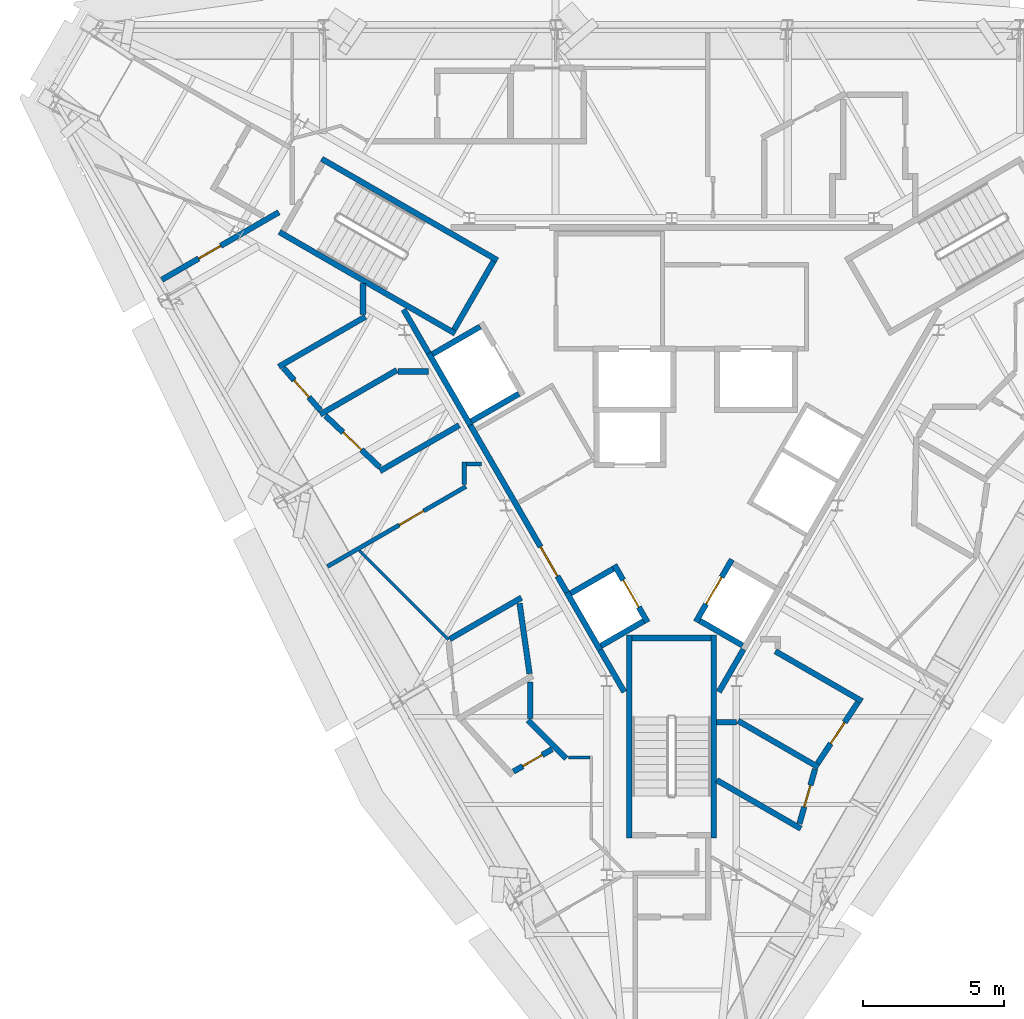
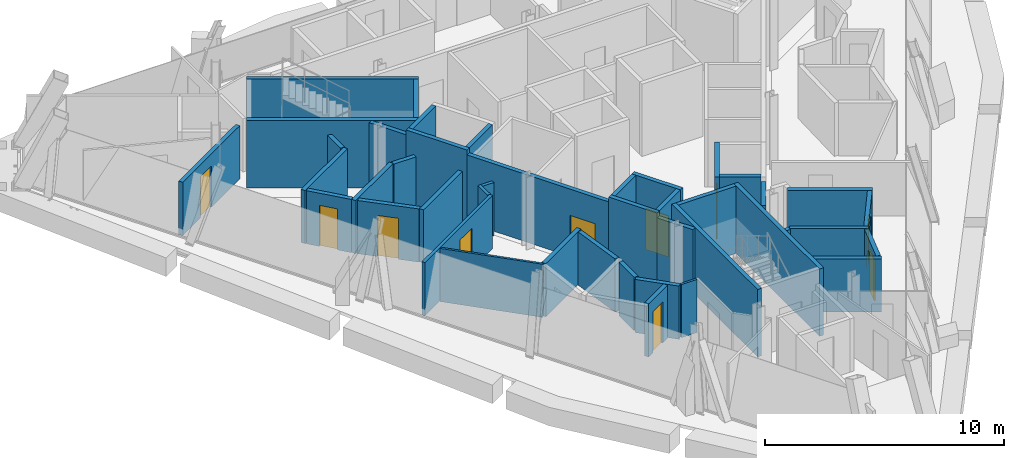
# One storey, part 7 of 13: 43 walls, 10 doors, 10 openings.
"""IFC4 building model written with IfcOpenShell, lengths in metres."""

import ifcopenshell
import ifcopenshell.guid

model = None  # the IFC model being written
_history = None  # IfcOwnerHistory: only IFC2X3 demands one
_inside = {}  # id of a spatial element -> (the spatial element, [elements in it])
_under = {}  # id of a project, library or spatial element -> (it, [spatial elements below it])
_declared = {}  # id of a project -> (the project, [libraries it declares])
_typed = {}  # id of a type object -> (the type object, [elements of that type])
_made_of = {}  # id of a material, layer set ... -> (it, [elements and type objects made of it])


def new_model(schema):
    """Start an empty IFC model of exactly this schema.

    Asked for "IFC4X3", IfcOpenShell would pick the latest addendum, in which some entities
    have other attributes; the version numbers below select the first issue.
    IFC2X3 requires an IfcOwnerHistory on every rooted entity: one is made here for all.
    """
    global model, _history
    if schema == "IFC4X3":
        model = ifcopenshell.file(schema_version=(4, 3, 0, 0))
    else:
        model = ifcopenshell.file(schema=schema)
    _inside.clear()
    _under.clear()
    _declared.clear()
    _typed.clear()
    _made_of.clear()
    _history = None
    if model.schema == "IFC2X3":
        org = make("IfcOrganization", Name="unknown")
        user = make(
            "IfcPersonAndOrganization",
            ThePerson=make("IfcPerson", FamilyName="unknown"),
            TheOrganization=org,
        )
        app = make(
            "IfcApplication",
            ApplicationDeveloper=org,
            Version="unknown",
            ApplicationFullName="unknown",
            ApplicationIdentifier="unknown",
        )
        _history = make(
            "IfcOwnerHistory",
            OwningUser=user,
            OwningApplication=app,
            ChangeAction="ADDED",
            CreationDate=0,
        )
    return model


def make(cls, **values):
    """One entity of the class cls with the attributes given. An attribute that is None is left unset."""
    return model.create_entity(
        cls, **{name: value for name, value in values.items() if value is not None}
    )


def rooted(cls, **values):
    """An entity with a GlobalId (a new one), such as an element, a storey or a relation."""
    return make(cls, GlobalId=ifcopenshell.guid.new(), OwnerHistory=_history, **values)


def si_unit(unit_type, name, prefix=None):
    """IfcSIUnit, for example si_unit("LENGTHUNIT", "METRE", prefix="MILLI")."""
    return make("IfcSIUnit", UnitType=unit_type, Prefix=prefix, Name=name)


def assignment(units):
    """IfcUnitAssignment: the units of a project."""
    return None if units is None else make("IfcUnitAssignment", Units=units)


def point(xyz):
    """IfcCartesianPoint."""
    return None if xyz is None else make("IfcCartesianPoint", Coordinates=xyz)


def direction(xyz):
    """IfcDirection."""
    return None if xyz is None else make("IfcDirection", DirectionRatios=xyz)


def frame(location, z_axis=None, x_axis=None):
    """IfcAxis2Placement3D, a coordinate frame: its origin and axes. An axis left out is left unset."""
    return make(
        "IfcAxis2Placement3D",
        Location=point(location),
        Axis=direction(z_axis),
        RefDirection=direction(x_axis),
    )


def frame_2d(location, x_axis=None):
    """IfcAxis2Placement2D, a coordinate frame in the plane: its origin and x axis."""
    return make(
        "IfcAxis2Placement2D", Location=point(location), RefDirection=direction(x_axis)
    )


def origin():
    """The frame at (0, 0, 0) with its axes left unset."""
    return frame((0.0, 0.0, 0.0))


def place(relative_to, where):
    """IfcLocalPlacement: puts the frame where relative to a parent placement (None: the world)."""
    return make(
        "IfcLocalPlacement", PlacementRelTo=relative_to, RelativePlacement=where
    )


def context(
    kind, dimensions, precision=None, world=None, true_north=None, identifier=None
):
    """IfcGeometricRepresentationContext, for example the 3D "Model" context."""
    return make(
        "IfcGeometricRepresentationContext",
        ContextIdentifier=identifier,
        ContextType=kind,
        CoordinateSpaceDimension=dimensions,
        Precision=precision,
        WorldCoordinateSystem=world,
        TrueNorth=true_north,
    )


def subcontext(parent, identifier, kind, view, scale=None):
    """IfcGeometricRepresentationSubContext, for example "Body" below "Model"."""
    return make(
        "IfcGeometricRepresentationSubContext",
        ContextIdentifier=identifier,
        ContextType=kind,
        ParentContext=parent,
        TargetScale=scale,
        TargetView=view,
    )


def project(units=None, contexts=None):
    """IfcProject with its units and contexts."""
    return rooted(
        "IfcProject",
        Name="project",
        RepresentationContexts=contexts,
        UnitsInContext=assignment(units),
    )


def spatial(cls, under=None, at=None, **own):
    """A site, building, storey or space (cls), placed at a placement, below another one or the project."""
    s = rooted(cls, ObjectPlacement=at, **own)
    if under is not None:
        _under.setdefault(under.id(), (under, []))[1].append(s)
    return s


def profile(cls, at=None, kind="AREA", **sizes):
    """A parametric profile (cls). Its sizes go by their IFC names, for example OverallWidth=200.0."""
    return make(cls, ProfileType=kind, Position=at, **sizes)


def rectangle(**sizes):
    """IfcRectangleProfileDef."""
    return profile("IfcRectangleProfileDef", **sizes)


def extrude(swept, where, along, depth):
    """IfcExtrudedAreaSolid: the profile swept, set in the frame where, extruded along a direction by depth."""
    return make(
        "IfcExtrudedAreaSolid",
        SweptArea=swept,
        Position=where,
        ExtrudedDirection=direction(along),
        Depth=depth,
    )


def shape(context_of_items, identifier, shape_type, items):
    """IfcShapeRepresentation: the items that make up one representation, for example the "Body"."""
    return make(
        "IfcShapeRepresentation",
        ContextOfItems=context_of_items,
        RepresentationIdentifier=identifier,
        RepresentationType=shape_type,
        Items=items,
    )


def material(Name=None, Category=None):
    """IfcMaterial."""
    return make("IfcMaterial", Name=Name, Category=Category)


def layer(
    of_material, thickness, ventilated=None, Name=None, Category=None, Priority=None
):
    """IfcMaterialLayer: one layer of a wall or slab, of a material (None: an air gap)."""
    return make(
        "IfcMaterialLayer",
        Material=of_material,
        LayerThickness=thickness,
        IsVentilated=ventilated,
        Name=Name,
        Category=Category,
        Priority=Priority,
    )


def layer_set(layers, Name=None):
    """IfcMaterialLayerSet."""
    return make("IfcMaterialLayerSet", MaterialLayers=layers, LayerSetName=Name)


def made_of(thing, what):
    """Note that an element or type object is made of a material, layer set ...; save() writes the relation."""
    if what is not None:
        _made_of.setdefault(what.id(), (what, []))[1].append(thing)
    return thing


def type_object(cls, material=None, **own):
    """A type object (cls), such as IfcWallType, which elements share."""
    return made_of(rooted(cls, **own), material)


def element(
    cls,
    number,
    at=None,
    inside=None,
    cuts=None,
    type_object=None,
    material=None,
    context=None,
    identifier="Body",
    shape_type=None,
    held_by="IfcProductDefinitionShape",
    body=None,
    shapes=None,
    **own,
):
    """One element of the class cls, such as IfcWall. Its Tag is "e" and its number.

    at: its placement. inside: the storey or other place that contains it. cuts: it is an
    opening in that element (IfcRelVoidsElement). A single representation is given by context,
    identifier, shape_type and body (its items); several are given by shapes. held_by: the class
    of the entity that holds the representations. save() writes the other relations.
    """
    e = rooted(cls, Tag="e%d" % number, ObjectPlacement=at, **own)
    if body is not None:
        shapes = [shape(context, identifier, shape_type, body)]
    if shapes is not None:
        e.Representation = make(held_by, Representations=shapes)
    if inside is not None:
        _inside.setdefault(inside.id(), (inside, []))[1].append(e)
    if cuts is not None:
        rooted(
            "IfcRelVoidsElement", RelatingBuildingElement=cuts, RelatedOpeningElement=e
        )
    if type_object is not None:
        _typed.setdefault(type_object.id(), (type_object, []))[1].append(e)
    return made_of(e, material)


def fill(opening, filler):
    """IfcRelFillsElement: the door or window that sits in an opening."""
    return rooted(
        "IfcRelFillsElement",
        RelatingOpeningElement=opening,
        RelatedBuildingElement=filler,
    )


def aggregate(whole, parts):
    """IfcRelAggregates: a whole, such as a stair, and the parts it consists of."""
    return rooted("IfcRelAggregates", RelatingObject=whole, RelatedObjects=parts)


def save(model, path):
    """Write the relations noted so far, then the file.

    IfcRelAggregates (storeys below a building ...), IfcRelContainedInSpatialStructure (elements
    in a storey), IfcRelDefinesByType, IfcRelAssociatesMaterial and IfcRelDeclares: one each for
    every whole, place, type object, material and project.
    """
    for whole, parts in _under.values():
        aggregate(whole, parts)
    for where, things in _inside.values():
        rooted(
            "IfcRelContainedInSpatialStructure",
            RelatedElements=things,
            RelatingStructure=where,
        )
    for kind, things in _typed.values():
        rooted("IfcRelDefinesByType", RelatedObjects=things, RelatingType=kind)
    for what, things in _made_of.values():
        rooted("IfcRelAssociatesMaterial", RelatedObjects=things, RelatingMaterial=what)
    for by, libraries in _declared.values():
        rooted("IfcRelDeclares", RelatingContext=by, RelatedDefinitions=libraries)
    model.write(path)


model = new_model("IFC4")

# Units and contexts
model_context = context("Model", 3, precision=1e-05, world=origin(), true_north=direction((0.0, 1.0)))
body_context = subcontext(model_context, "Body", "Model", "MODEL_VIEW")
ifc_project = project(units=[si_unit("LENGTHUNIT", "METRE"), si_unit("AREAUNIT", "SQUARE_METRE"), si_unit("VOLUMEUNIT", "CUBIC_METRE"), si_unit("PLANEANGLEUNIT", "RADIAN"), si_unit("MASSUNIT", "GRAM", prefix="KILO")], contexts=[model_context])

# Site, building, storey
site_placement = place(None, origin())
site = spatial("IfcSite", under=ifc_project, at=site_placement, CompositionType="ELEMENT")
building_placement = place(site_placement, origin())
building = spatial("IfcBuilding", under=site, at=building_placement, Name="Verrane Prism Tower", CompositionType="ELEMENT")
storey_placement = place(building_placement, frame((0.0, 0.0, 304.699951171875)))
storey = spatial("IfcBuildingStorey", under=building, at=storey_placement, Name="L77", CompositionType="ELEMENT", Elevation=304.699951171875)

# Wall
ifc_material_1 = material(Name="Gypsum board partition", Category="other")
ifc_layer_1 = layer(ifc_material_1, 0.199951171875)
ifc_layer_set_1 = layer_set([ifc_layer_1], Name="CW-200 core boundary wall 2 h")
wall_type_1 = type_object("IfcWallType", Name="CW-200 core boundary wall 2 h", PredefinedType="PARTITIONING", material=ifc_layer_set_1)
wall_1_placement = place(storey_placement, frame((-9.509033203125, 3.550537109375, 0.0), z_axis=(0.0, 0.0, 1.0), x_axis=(0.499999136801, -0.866025902152, 0.0)))
element("IfcWall", 1, at=wall_1_placement, inside=storey, type_object=wall_type_1, Name="Core boundary wall CW3-001", PredefinedType="PARTITIONING", context=body_context, shape_type="SweptSolid", body=[
    extrude(rectangle(XDim=1.7822265625, YDim=0.199951171875, at=frame_2d((0.89111328125, 0.0))), origin(), (0.0, 0.0, 1.0), 3.449951171875),
])

# Wall, opening, door
wall_2_placement = place(storey_placement, frame((-7.14111328125, -0.551025390625, 0.0), z_axis=(0.0, 0.0, 1.0), x_axis=(0.500001302854, -0.86602465158, 0.0)))
wall_2 = element("IfcWall", 2, at=wall_2_placement, inside=storey, type_object=wall_type_1, Name="Core boundary wall CW3-003", PredefinedType="PARTITIONING", context=body_context, shape_type="SweptSolid", body=[
    extrude(rectangle(XDim=6.84619140625, YDim=0.199951171875, at=frame_2d((3.423095703125, 0.0))), origin(), (0.0, 0.0, 1.0), 3.449951171875),
])
opening_1_placement = place(wall_2_placement, frame((4.98291015625, 0.0, 0.0)))
opening_1 = element("IfcOpeningElement", 3, at=opening_1_placement, cuts=wall_2, Name="Opening D75510", PredefinedType="OPENING", context=body_context, shape_type="SweptSolid", body=[
    extrude(rectangle(XDim=1.199951171875, YDim=2.10009765625, at=frame_2d((0.60009765625, 1.050048828125))), frame((0.0, 0.10986328125, 0.0), z_axis=(0.0, -1.0, 0.0), x_axis=(1.0, 0.0, 0.0)), (0.0, 0.0, 1.0), 0.219970703125),
])
ifc_material_2 = material(Name="Timber veneered door leaf", Category="wood")
door_type_1 = type_object("IfcDoorType", Name="DR-1200x2100 FD60 single leaf lift lobby", OperationType="NOTDEFINED", PredefinedType="DOOR", material=ifc_material_2)
door_1_placement = place(opening_1_placement, origin())
door_1 = element("IfcDoor", 4, at=door_1_placement, inside=storey, type_object=door_type_1, Name="Lift lobby door D75510", OperationType="SINGLE_SWING_RIGHT", OverallHeight=2.10009765625, OverallWidth=1.199951171875, PredefinedType="DOOR", context=body_context, shape_type="SweptSolid", body=[
    extrude(rectangle(XDim=1.199951171875, YDim=2.10009765625, at=frame_2d((0.60009765625, 1.050048828125))), frame((0.0, 0.02490234375, 0.0), z_axis=(0.0, -1.0, 0.0), x_axis=(1.0, 0.0, 0.0)), (0.0, 0.0, 1.0), 0.050048828125),
])
fill(opening_1, door_1)

# Walls
wall_3_placement = place(storey_placement, frame((-2.541015625, -8.51904296875, 0.0), z_axis=(0.0, 0.0, 1.0), x_axis=(0.500016142392, -0.86601608377, 0.0)))
element("IfcWall", 5, at=wall_3_placement, inside=storey, type_object=wall_type_1, Name="Core boundary wall CW3-004", PredefinedType="PARTITIONING", context=body_context, shape_type="SweptSolid", body=[
    extrude(rectangle(XDim=1.72705078125, YDim=0.199951171875, at=frame_2d((0.863525390625, 0.0))), origin(), (0.0, 0.0, 1.0), 3.449951171875),
])
wall_4_placement = place(storey_placement, frame((1.677490234375, -10.0146484375, 0.0), z_axis=(0.0, 0.0, 1.0), x_axis=(0.49983532306, 0.866120459187, 0.0)))
element("IfcWall", 6, at=wall_4_placement, inside=storey, type_object=wall_type_1, Name="Core boundary wall CW3-005", PredefinedType="PARTITIONING", context=body_context, shape_type="SweptSolid", body=[
    extrude(rectangle(XDim=1.74755859375, YDim=0.199951171875, at=frame_2d((0.873779296875, 0.0))), origin(), (0.0, 0.0, 1.0), 3.449951171875),
])
ifc_material_3 = material(Name="Concrete C40/50", Category="concrete")
ifc_layer_2 = layer(ifc_material_3, 0.199951171875)
ifc_layer_set_2 = layer_set([ifc_layer_2], Name="CW-200 stair core wall concrete C40/50 3 h")
wall_type_2 = type_object("IfcWallType", Name="CW-200 stair core wall concrete C40/50 3 h", PredefinedType="PARTITIONING", material=ifc_layer_set_2)
for number, where, z_axis, x_axis, name in (
    (7, (-7.67822265625, 2.700927734375, 0.0), (0.0, 0.0, 1.0), (-0.866018442252, 0.500012057535, 0.0), "Stair 2 enclosure wall"),
    (8, (-6.17822265625, 5.299072265625, 0.0), (0.0, 0.0, 1.0), (-0.866033125095, 0.499986626058, 0.0), "Stair 2 enclosure wall"),
):
    element("IfcWall", number, at=place(storey_placement, frame(where, z_axis=z_axis, x_axis=x_axis)), inside=storey, type_object=wall_type_2, Name=name, PredefinedType="PARTITIONING", context=body_context, shape_type="SweptSolid", body=[
        extrude(rectangle(XDim=7.199951171875, YDim=0.199951171875, at=frame_2d((3.60009765625, 0.0))), origin(), (0.0, 0.0, 1.0), 3.449951171875),
    ])
wall_5_placement = place(storey_placement, frame((-6.314697265625, 5.262451171875, 0.0), z_axis=(0.0, 0.0, 1.0), x_axis=(-0.500049511043, -0.865996816683, 0.0)))
element("IfcWall", 9, at=wall_5_placement, inside=storey, type_object=wall_type_2, Name="Stair 2 enclosure wall", PredefinedType="PARTITIONING", context=body_context, shape_type="SweptSolid", body=[
    extrude(rectangle(XDim=2.800048828125, YDim=0.199951171875, at=frame_2d((1.39990234375, 0.0))), origin(), (0.0, 0.0, 1.0), 3.449951171875),
])
for number, where, z_axis, x_axis, name in (
    (10, (1.5, -8.0, 0.0), (0.0, 0.0, 1.0), (0.0, -1.0, 0.0), "Stair 3 enclosure wall"),
    (11, (-1.5, -8.0, 0.0), (0.0, 0.0, 1.0), (0.0, -1.0, 0.0), "Stair 3 enclosure wall"),
):
    element("IfcWall", number, at=place(storey_placement, frame(where, z_axis=z_axis, x_axis=x_axis)), inside=storey, type_object=wall_type_2, Name=name, PredefinedType="PARTITIONING", context=body_context, shape_type="SweptSolid", body=[
        extrude(rectangle(XDim=7.199951171875, YDim=0.199951171875, at=frame_2d((3.60009765625, 0.0))), origin(), (0.0, 0.0, 1.0), 3.449951171875),
    ])
wall_6_placement = place(storey_placement, frame((-1.39990234375, -8.10009765625, 0.0), z_axis=(0.0, 0.0, 1.0), x_axis=(1.0, 0.0, 0.0)))
element("IfcWall", 12, at=wall_6_placement, inside=storey, type_object=wall_type_2, Name="Stair 3 enclosure wall", PredefinedType="PARTITIONING", context=body_context, shape_type="SweptSolid", body=[
    extrude(rectangle(XDim=2.7998046875, YDim=0.199951171875, at=frame_2d((1.39990234375, 0.0))), origin(), (0.0, 0.0, 1.0), 3.449951171875),
])
ifc_material_4 = material(Name="Gypsum board shaft wall assembly", Category="other")
ifc_layer_3 = layer(ifc_material_4, 0.199951171875)
ifc_layer_set_3 = layer_set([ifc_layer_3], Name="HW-200 lift shaft wall 2 h")
wall_type_3 = type_object("IfcWallType", Name="HW-200 lift shaft wall 2 h", PredefinedType="PARTITIONING", material=ifc_layer_set_3)
for number, where, z_axis, x_axis, name in (
    (13, (-2.50537109375, -8.38037109375, 0.0), (0.0, 0.0, 1.0), (0.866002029911, 0.500040482552, 0.0), "Lift shaft wall"),
    (14, (-3.580322265625, -6.5185546875, 0.0), (0.0, 0.0, 1.0), (0.866002029911, 0.500040482552, 0.0), "Lift shaft wall"),
):
    element("IfcWall", number, at=place(storey_placement, frame(where, z_axis=z_axis, x_axis=x_axis)), inside=storey, type_object=wall_type_3, Name=name, PredefinedType="PARTITIONING", context=body_context, shape_type="SweptSolid", body=[
        extrude(rectangle(XDim=1.749755859375, YDim=0.199951171875, at=frame_2d((0.875, 0.0))), origin(), (0.0, 0.0, 1.0), 3.699951171875),
    ])
for number, where, z_axis, x_axis, name in (
    (15, (-7.10546875, -0.4130859375, 0.0), (0.0, 0.0, 1.0), (0.866000020948, 0.500043961785, 0.0), "Lift shaft wall"),
    (16, (-8.48046875, 1.968505859375, 0.0), (0.0, 0.0, 1.0), (0.866000020948, 0.500043961785, 0.0), "Lift shaft wall"),
):
    element("IfcWall", number, at=place(storey_placement, frame(where, z_axis=z_axis, x_axis=x_axis)), inside=storey, type_object=wall_type_3, Name=name, PredefinedType="PARTITIONING", context=body_context, shape_type="SweptSolid", body=[
        extrude(rectangle(XDim=1.949951171875, YDim=0.199951171875, at=frame_2d((0.97509765625, 0.0))), origin(), (0.0, 0.0, 1.0), 3.699951171875),
    ])

# Wall, opening, door
wall_7_placement = place(storey_placement, frame((0.86328125, -7.524658203125, 0.0), z_axis=(0.0, 0.0, 1.0), x_axis=(0.499990435942, 0.866030925526, 0.0)))
wall_7 = element("IfcWall", 17, at=wall_7_placement, inside=storey, type_object=wall_type_3, Name="Lift shaft wall", PredefinedType="PARTITIONING", context=body_context, shape_type="SweptSolid", body=[
    extrude(rectangle(XDim=2.5498046875, YDim=0.199951171875, at=frame_2d((1.27490234375, 0.0))), origin(), (0.0, 0.0, 1.0), 3.699951171875),
])
opening_2_placement = place(wall_7_placement, frame((0.72509765625, 0.0, 0.0)))
opening_2 = element("IfcOpeningElement", 18, at=opening_2_placement, cuts=wall_7, Name="Opening D75505", PredefinedType="OPENING", context=body_context, shape_type="SweptSolid", body=[
    extrude(rectangle(XDim=1.10009765625, YDim=2.10009765625, at=frame_2d((0.550048828125, 1.050048828125))), frame((0.0, 0.10986328125, 0.0), z_axis=(0.0, -1.0, 0.0), x_axis=(1.0, 0.0, 0.0)), (0.0, 0.0, 1.0), 0.219970703125),
])
ifc_material_5 = material(Name="Stainless steel sliding landing door", Category="steel")
door_type_2 = type_object("IfcDoorType", Name="LD-1100x2100 lift landing door FD90 sliding", OperationType="NOTDEFINED", PredefinedType="DOOR", material=ifc_material_5)
door_2_placement = place(opening_2_placement, origin())
door_2 = element("IfcDoor", 19, at=door_2_placement, inside=storey, type_object=door_type_2, Name="Bank C lift 3 landing door", OperationType="SLIDING_TO_LEFT", OverallHeight=2.10009765625, OverallWidth=1.10009765625, PredefinedType="DOOR", context=body_context, shape_type="SweptSolid", body=[
    extrude(rectangle(XDim=1.10009765625, YDim=2.10009765625, at=frame_2d((0.550048828125, 1.050048828125))), frame((0.0, 0.02490234375, 0.0), z_axis=(0.0, -1.0, 0.0), x_axis=(1.0, 0.0, 0.0)), (0.0, 0.0, 1.0), 0.050048828125),
])
fill(opening_2, door_2)

wall_8_placement = place(storey_placement, frame((-0.853271484375, -7.5419921875, 0.0), z_axis=(0.0, 0.0, 1.0), x_axis=(-0.500016218704, 0.866016039709, 0.0)))
wall_8 = element("IfcWall", 20, at=wall_8_placement, inside=storey, type_object=wall_type_3, Name="Lift shaft wall", PredefinedType="PARTITIONING", context=body_context, shape_type="SweptSolid", body=[
    extrude(rectangle(XDim=2.35009765625, YDim=0.199951171875, at=frame_2d((1.175048828125, 0.0))), origin(), (0.0, 0.0, 1.0), 3.699951171875),
])
opening_3_placement = place(wall_8_placement, frame((0.625, 0.0, 0.0)))
opening_3 = element("IfcOpeningElement", 21, at=opening_3_placement, cuts=wall_8, Name="Opening D75503", PredefinedType="OPENING", context=body_context, shape_type="SweptSolid", body=[
    extrude(rectangle(XDim=1.10009765625, YDim=2.10009765625, at=frame_2d((0.550048828125, 1.050048828125))), frame((0.0, 0.10986328125, 0.0), z_axis=(0.0, -1.0, 0.0), x_axis=(1.0, 0.0, 0.0)), (0.0, 0.0, 1.0), 0.219970703125),
])
door_3_placement = place(opening_3_placement, origin())
door_3 = element("IfcDoor", 22, at=door_3_placement, inside=storey, type_object=door_type_2, Name="Bank C lift 1 landing door", OperationType="SLIDING_TO_LEFT", OverallHeight=2.10009765625, OverallWidth=1.10009765625, PredefinedType="DOOR", context=body_context, shape_type="SweptSolid", body=[
    extrude(rectangle(XDim=1.10009765625, YDim=2.10009765625, at=frame_2d((0.550048828125, 1.050048828125))), frame((0.0, 0.02490234375, 0.0), z_axis=(0.0, -1.0, 0.0), x_axis=(1.0, 0.0, 0.0)), (0.0, 0.0, 1.0), 0.050048828125),
])
fill(opening_3, door_3)

# Walls
wall_9_placement = place(storey_placement, frame((-2.5419921875, -8.51708984375, 0.0), z_axis=(0.0, 0.0, 1.0), x_axis=(-0.500016218704, 0.866016039709, 0.0)))
element("IfcWall", 23, at=wall_9_placement, inside=storey, type_object=wall_type_3, Name="Lift shaft wall", PredefinedType="PARTITIONING", context=body_context, shape_type="SweptSolid", body=[
    extrude(rectangle(XDim=2.35009765625, YDim=0.199951171875, at=frame_2d((1.175048828125, 0.0))), origin(), (0.0, 0.0, 1.0), 3.699951171875),
])
wall_10_placement = place(storey_placement, frame((-7.14208984375, -0.549560546875, 0.0), z_axis=(0.0, 0.0, 1.0), x_axis=(-0.49997559174, 0.866039495442, 0.0)))
element("IfcWall", 24, at=wall_10_placement, inside=storey, type_object=wall_type_3, Name="Lift shaft wall", PredefinedType="PARTITIONING", context=body_context, shape_type="SweptSolid", body=[
    extrude(rectangle(XDim=2.949951171875, YDim=0.199951171875, at=frame_2d((1.47509765625, 0.0))), origin(), (0.0, 0.0, 1.0), 3.699951171875),
])
wall_11_placement = place(storey_placement, frame((2.515380859375, -8.36328125, 0.0), z_axis=(0.0, 0.0, 1.0), x_axis=(-0.866036909293, 0.499980071345, 0.0)))
element("IfcWall", 25, at=wall_11_placement, inside=storey, type_object=wall_type_3, Name="Lift shaft wall", PredefinedType="PARTITIONING", context=body_context, shape_type="SweptSolid", body=[
    extrude(rectangle(XDim=1.75, YDim=0.199951171875, at=frame_2d((0.875, 0.0))), origin(), (0.0, 0.0, 1.0), 3.699951171875),
])
ifc_material_6 = material(Name="Gypsum board partition", Category="other")
ifc_layer_4 = layer(ifc_material_6, 0.10009765625)
ifc_layer_set_4 = layer_set([ifc_layer_4], Name="PW-100 room partition")
wall_type_4 = type_object("IfcWallType", Name="PW-100 room partition", PredefinedType="PARTITIONING", material=ifc_layer_set_4)
wall_12_placement = place(storey_placement, frame((-11.070556640625, -5.00830078125, 0.0), z_axis=(0.0, 0.0, 1.0), x_axis=(0.707079435951, -0.707134125365, 0.0)))
element("IfcWall", 26, at=wall_12_placement, inside=storey, type_object=wall_type_4, Name="Room partition 017", PredefinedType="PARTITIONING", context=body_context, shape_type="SweptSolid", body=[
    extrude(rectangle(XDim=4.464111328125, YDim=0.10009765625, at=frame_2d((2.23193359375, 0.0))), origin(), (0.0, 0.0, 1.0), 2.72314453125),
])
wall_13_placement = place(storey_placement, frame((-3.6640625, -12.339111328125, 0.0), z_axis=(0.0, 0.0, 1.0), x_axis=(1.0, 0.0, 0.0)))
element("IfcWall", 27, at=wall_13_placement, inside=storey, type_object=wall_type_4, Name="Room partition 037", PredefinedType="PARTITIONING", context=body_context, shape_type="SweptSolid", body=[
    extrude(rectangle(XDim=0.76416015625, YDim=0.10009765625, at=frame_2d((0.382080078125, 0.0))), origin(), (0.0, 0.0, 1.0), 2.72314453125),
])

# Wall, opening, door
ifc_material_7 = material(Name="Gypsum board partition", Category="other")
ifc_layer_5 = layer(ifc_material_7, 0.14990234375)
ifc_layer_set_5 = layer_set([ifc_layer_5], Name="PW-150 demising wall 1 h")
wall_type_5 = type_object("IfcWallType", Name="PW-150 demising wall 1 h", PredefinedType="PARTITIONING", material=ifc_layer_set_5)
wall_14_placement = place(storey_placement, frame((-12.205078125, -5.562255859375, 0.0), z_axis=(0.0, 0.0, 1.0), x_axis=(0.866006351856, 0.500032997455, 0.0)))
wall_14 = element("IfcWall", 28, at=wall_14_placement, inside=storey, type_object=wall_type_5, Name="Demising wall 015", PredefinedType="PARTITIONING", context=body_context, shape_type="SweptSolid", body=[
    extrude(rectangle(XDim=5.6708984375, YDim=0.14990234375, at=frame_2d((2.83544921875, 0.0))), origin(), (0.0, 0.0, 1.0), 2.72314453125),
])
opening_4_placement = place(wall_14_placement, frame((2.935302734375, 0.0, 0.0)))
opening_4 = element("IfcOpeningElement", 29, at=opening_4_placement, cuts=wall_14, Name="Opening D75023", PredefinedType="OPENING", context=body_context, shape_type="SweptSolid", body=[
    extrude(rectangle(XDim=1.0, YDim=2.10009765625, at=frame_2d((0.5, 1.050048828125))), frame((0.0, 0.0849609375, 0.0), z_axis=(0.0, -1.0, 0.0), x_axis=(1.0, 0.0, 0.0)), (0.0, 0.0, 1.0), 0.169921875),
])
ifc_material_8 = material(Name="Timber veneered door leaf", Category="wood")
door_type_3 = type_object("IfcDoorType", Name="DR-1000x2100 FD20 single leaf inner", OperationType="NOTDEFINED", PredefinedType="DOOR", material=ifc_material_8)
door_4_placement = place(opening_4_placement, origin())
door_4 = element("IfcDoor", 30, at=door_4_placement, inside=storey, type_object=door_type_3, Name="Entrance Foyer door", OperationType="SINGLE_SWING_LEFT", OverallHeight=2.10009765625, OverallWidth=1.0, PredefinedType="DOOR", context=body_context, shape_type="SweptSolid", body=[
    extrude(rectangle(XDim=1.0, YDim=2.10009765625, at=frame_2d((0.5, 1.050048828125))), frame((0.0, 0.02490234375, 0.0), z_axis=(0.0, -1.0, 0.0), x_axis=(1.0, 0.0, 0.0)), (0.0, 0.0, 1.0), 0.050048828125),
])
fill(opening_4, door_4)

# Walls
wall_15_placement = place(storey_placement, frame((-7.35888671875, -2.6640625, 0.0), z_axis=(0.0, 0.0, 1.0), x_axis=(0.0, 1.0, 0.0)))
element("IfcWall", 31, at=wall_15_placement, inside=storey, type_object=wall_type_5, Name="Demising wall 028", PredefinedType="PARTITIONING", context=body_context, shape_type="SweptSolid", body=[
    extrude(rectangle(XDim=0.80810546875, YDim=0.14990234375, at=frame_2d((0.404052734375, 0.0))), origin(), (0.0, 0.0, 1.0), 2.72314453125),
])
wall_16_placement = place(storey_placement, frame((-7.283935546875, -1.930908203125, 0.0), z_axis=(0.0, 0.0, 1.0), x_axis=(1.0, 0.0, 0.0)))
element("IfcWall", 32, at=wall_16_placement, inside=storey, type_object=wall_type_5, Name="Demising wall 029", PredefinedType="PARTITIONING", context=body_context, shape_type="SweptSolid", body=[
    extrude(rectangle(XDim=0.546875, YDim=0.14990234375, at=frame_2d((0.2734375, 0.0))), origin(), (0.0, 0.0, 1.0), 2.72314453125),
])

# Wall, opening, door
ifc_material_9 = material(Name="Gypsum board partition", Category="other")
ifc_layer_6 = layer(ifc_material_9, 0.199951171875)
ifc_layer_set_6 = layer_set([ifc_layer_6], Name="PW-200 plumbing wall")
wall_type_6 = type_object("IfcWallType", Name="PW-200 plumbing wall", PredefinedType="PARTITIONING", material=ifc_layer_set_6)
wall_17_placement = place(storey_placement, frame((-18.077880859375, 4.610107421875, 0.0), z_axis=(0.0, 0.0, 1.0), x_axis=(0.86606672372, 0.499928424942, 0.0)))
wall_17 = element("IfcWall", 33, at=wall_17_placement, inside=storey, type_object=wall_type_6, Name="Plumbing wall 003", PredefinedType="PARTITIONING", context=body_context, shape_type="SweptSolid", body=[
    extrude(rectangle(XDim=4.788330078125, YDim=0.199951171875, at=frame_2d((2.39404296875, 0.0))), origin(), (0.0, 0.0, 1.0), 2.72314453125),
])
opening_5_placement = place(wall_17_placement, frame((1.50390625, 0.0, 0.0)))
opening_5 = element("IfcOpeningElement", 34, at=opening_5_placement, cuts=wall_17, Name="Opening D75021", PredefinedType="OPENING", context=body_context, shape_type="SweptSolid", body=[
    extrude(rectangle(XDim=0.89990234375, YDim=2.10009765625, at=frame_2d((0.449951171875, 1.050048828125))), frame((0.0, 0.10986328125, 0.0), z_axis=(0.0, -1.0, 0.0), x_axis=(1.0, 0.0, 0.0)), (0.0, 0.0, 1.0), 0.219970703125),
])
ifc_material_10 = material(Name="Timber veneered door leaf", Category="wood")
door_type_4 = type_object("IfcDoorType", Name="DR-900x2100 single leaf inner", OperationType="NOTDEFINED", PredefinedType="DOOR", material=ifc_material_10)
door_5_placement = place(opening_5_placement, origin())
door_5 = element("IfcDoor", 35, at=door_5_placement, inside=storey, type_object=door_type_4, Name="Living And Dining Room door", OperationType="SINGLE_SWING_LEFT", OverallHeight=2.10009765625, OverallWidth=0.89990234375, PredefinedType="DOOR", context=body_context, shape_type="SweptSolid", body=[
    extrude(rectangle(XDim=0.89990234375, YDim=2.10009765625, at=frame_2d((0.449951171875, 1.050048828125))), frame((0.0, 0.02490234375, 0.0), z_axis=(0.0, -1.0, 0.0), x_axis=(1.0, 0.0, 0.0)), (0.0, 0.0, 1.0), 0.050048828125),
])
fill(opening_5, door_5)

wall_18_placement = place(storey_placement, frame((-13.770263671875, 1.4814453125, 0.0), z_axis=(0.0, 0.0, 1.0), x_axis=(0.655840374671, -0.754899597928, 0.0)))
wall_18 = element("IfcWall", 36, at=wall_18_placement, inside=storey, type_object=wall_type_6, Name="Plumbing wall 007", PredefinedType="PARTITIONING", context=body_context, shape_type="SweptSolid", body=[
    extrude(rectangle(XDim=2.001220703125, YDim=0.199951171875, at=frame_2d((1.00048828125, 0.0))), origin(), (0.0, 0.0, 1.0), 2.72314453125),
])
opening_6_placement = place(wall_18_placement, frame((0.580078125, 0.0, 0.0)))
opening_6 = element("IfcOpeningElement", 37, at=opening_6_placement, cuts=wall_18, Name="Opening D75022", PredefinedType="OPENING", context=body_context, shape_type="SweptSolid", body=[
    extrude(rectangle(XDim=0.800048828125, YDim=2.10009765625, at=frame_2d((0.39990234375, 1.050048828125))), frame((0.0, 0.10986328125, 0.0), z_axis=(0.0, -1.0, 0.0), x_axis=(1.0, 0.0, 0.0)), (0.0, 0.0, 1.0), 0.219970703125),
])
ifc_material_11 = material(Name="Timber veneered door leaf", Category="wood")
door_type_5 = type_object("IfcDoorType", Name="DR-800x2100 single leaf inner", OperationType="NOTDEFINED", PredefinedType="DOOR", material=ifc_material_11)
door_6_placement = place(opening_6_placement, origin())
door_6 = element("IfcDoor", 38, at=door_6_placement, inside=storey, type_object=door_type_5, Name="Powder Room door", OperationType="SINGLE_SWING_RIGHT", OverallHeight=2.10009765625, OverallWidth=0.800048828125, PredefinedType="DOOR", context=body_context, shape_type="SweptSolid", body=[
    extrude(rectangle(XDim=0.800048828125, YDim=2.10009765625, at=frame_2d((0.39990234375, 1.050048828125))), frame((0.0, 0.02490234375, 0.0), z_axis=(0.0, -1.0, 0.0), x_axis=(1.0, 0.0, 0.0)), (0.0, 0.0, 1.0), 0.050048828125),
])
fill(opening_6, door_6)

# Wall
wall_19_placement = place(storey_placement, frame((-13.935546875, 1.52197265625, 0.0), z_axis=(0.0, 0.0, 1.0), x_axis=(0.866075604562, 0.499913039621, 0.0)))
element("IfcWall", 39, at=wall_19_placement, inside=storey, type_object=wall_type_6, Name="Plumbing wall 008", PredefinedType="PARTITIONING", context=body_context, shape_type="SweptSolid", body=[
    extrude(rectangle(XDim=3.548583984375, YDim=0.199951171875, at=frame_2d((1.7744140625, 0.0))), origin(), (0.0, 0.0, 1.0), 2.72314453125),
])

# Wall, opening, door
wall_20_placement = place(storey_placement, frame((-12.281005859375, -0.212890625, 0.0), z_axis=(0.0, 0.0, 1.0), x_axis=(0.725846578303, -0.687856630968, 0.0)))
wall_20 = element("IfcWall", 40, at=wall_20_placement, inside=storey, type_object=wall_type_6, Name="Plumbing wall 013", PredefinedType="PARTITIONING", context=body_context, shape_type="SweptSolid", body=[
    extrude(rectangle(XDim=2.66064453125, YDim=0.199951171875, at=frame_2d((1.330322265625, 0.0))), origin(), (0.0, 0.0, 1.0), 2.72314453125),
])
opening_7_placement = place(wall_20_placement, frame((0.864990234375, 0.0, 0.0)))
opening_7 = element("IfcOpeningElement", 41, at=opening_7_placement, cuts=wall_20, Name="Opening D75024", PredefinedType="OPENING", context=body_context, shape_type="SweptSolid", body=[
    extrude(rectangle(XDim=0.89990234375, YDim=2.10009765625, at=frame_2d((0.449951171875, 1.050048828125))), frame((0.0, 0.10986328125, 0.0), z_axis=(0.0, -1.0, 0.0), x_axis=(1.0, 0.0, 0.0)), (0.0, 0.0, 1.0), 0.219970703125),
])
door_7_placement = place(opening_7_placement, origin())
door_7 = element("IfcDoor", 42, at=door_7_placement, inside=storey, type_object=door_type_4, Name="Kitchen door", OperationType="SINGLE_SWING_RIGHT", OverallHeight=2.10009765625, OverallWidth=0.89990234375, PredefinedType="DOOR", context=body_context, shape_type="SweptSolid", body=[
    extrude(rectangle(XDim=0.89990234375, YDim=2.10009765625, at=frame_2d((0.449951171875, 1.050048828125))), frame((0.0, 0.02490234375, 0.0), z_axis=(0.0, -1.0, 0.0), x_axis=(1.0, 0.0, 0.0)), (0.0, 0.0, 1.0), 0.050048828125),
])
fill(opening_7, door_7)

# Walls
wall_21_placement = place(storey_placement, frame((-12.465576171875, -0.169921875, 0.0), z_axis=(0.0, 0.0, 1.0), x_axis=(0.865952591736, 0.500126092966, 0.0)))
element("IfcWall", 43, at=wall_21_placement, inside=storey, type_object=wall_type_6, Name="Plumbing wall 014", PredefinedType="PARTITIONING", context=body_context, shape_type="SweptSolid", body=[
    extrude(rectangle(XDim=3.141357421875, YDim=0.199951171875, at=frame_2d((1.57080078125, 0.0))), origin(), (0.0, 0.0, 1.0), 2.72314453125),
])
wall_22_placement = place(storey_placement, frame((-10.948974609375, 3.381103515625, 0.0), z_axis=(0.0, 0.0, 1.0), x_axis=(0.0, 1.0, 0.0)))
element("IfcWall", 44, at=wall_22_placement, inside=storey, type_object=wall_type_6, Name="Plumbing wall 018", PredefinedType="PARTITIONING", context=body_context, shape_type="SweptSolid", body=[
    extrude(rectangle(XDim=1.093017578125, YDim=0.199951171875, at=frame_2d((0.54638671875, 0.0))), origin(), (0.0, 0.0, 1.0), 2.72314453125),
])
wall_23_placement = place(storey_placement, frame((-10.345703125, -2.178955078125, 0.0), z_axis=(0.0, 0.0, 1.0), x_axis=(0.86595908408, 0.500114851509, 0.0)))
element("IfcWall", 45, at=wall_23_placement, inside=storey, type_object=wall_type_6, Name="Plumbing wall 020", PredefinedType="PARTITIONING", context=body_context, shape_type="SweptSolid", body=[
    extrude(rectangle(XDim=3.249267578125, YDim=0.199951171875, at=frame_2d((1.62451171875, 0.0))), origin(), (0.0, 0.0, 1.0), 2.72314453125),
])
wall_24_placement = place(storey_placement, frame((-9.697021484375, 1.35107421875, 0.0), z_axis=(0.0, 0.0, 1.0), x_axis=(1.0, 0.0, 0.0)))
element("IfcWall", 46, at=wall_24_placement, inside=storey, type_object=wall_type_6, Name="Plumbing wall 021", PredefinedType="PARTITIONING", context=body_context, shape_type="SweptSolid", body=[
    extrude(rectangle(XDim=1.06494140625, YDim=0.199951171875, at=frame_2d((0.532470703125, 0.0))), origin(), (0.0, 0.0, 1.0), 2.72314453125),
])
wall_25_placement = place(storey_placement, frame((-7.87060546875, -8.139892578125, 0.0), z_axis=(0.0, 0.0, 1.0), x_axis=(0.866106676517, 0.49985920507, 0.0)))
element("IfcWall", 47, at=wall_25_placement, inside=storey, type_object=wall_type_6, Name="Plumbing wall 025", PredefinedType="PARTITIONING", context=body_context, shape_type="SweptSolid", body=[
    extrude(rectangle(XDim=2.936279296875, YDim=0.199951171875, at=frame_2d((1.46826171875, 0.0))), origin(), (0.0, 0.0, 1.0), 2.72314453125),
])

# Wall, opening, door
wall_26_placement = place(storey_placement, frame((-5.607177734375, -12.837890625, 0.0), z_axis=(0.0, 0.0, 1.0), x_axis=(0.866095534226, 0.499878510834, 0.0)))
wall_26 = element("IfcWall", 48, at=wall_26_placement, inside=storey, type_object=wall_type_6, Name="Plumbing wall 032", PredefinedType="PARTITIONING", context=body_context, shape_type="SweptSolid", body=[
    extrude(rectangle(XDim=1.580078125, YDim=0.199951171875, at=frame_2d((0.7900390625, 0.0))), origin(), (0.0, 0.0, 1.0), 2.72314453125),
])
opening_8_placement = place(wall_26_placement, frame((0.3798828125, 0.0, 0.0)))
opening_8 = element("IfcOpeningElement", 49, at=opening_8_placement, cuts=wall_26, Name="Opening D75030", PredefinedType="OPENING", context=body_context, shape_type="SweptSolid", body=[
    extrude(rectangle(XDim=0.800048828125, YDim=2.10009765625, at=frame_2d((0.39990234375, 1.050048828125))), frame((0.0, 0.10986328125, 0.0), z_axis=(0.0, -1.0, 0.0), x_axis=(1.0, 0.0, 0.0)), (0.0, 0.0, 1.0), 0.219970703125),
])
door_8_placement = place(opening_8_placement, origin())
door_8 = element("IfcDoor", 50, at=door_8_placement, inside=storey, type_object=door_type_5, Name="Bathroom door", OperationType="SINGLE_SWING_RIGHT", OverallHeight=2.10009765625, OverallWidth=0.800048828125, PredefinedType="DOOR", context=body_context, shape_type="SweptSolid", body=[
    extrude(rectangle(XDim=0.800048828125, YDim=2.10009765625, at=frame_2d((0.39990234375, 1.050048828125))), frame((0.0, 0.02490234375, 0.0), z_axis=(0.0, -1.0, 0.0), x_axis=(1.0, 0.0, 0.0)), (0.0, 0.0, 1.0), 0.050048828125),
])
fill(opening_8, door_8)

# Walls
wall_27_placement = place(storey_placement, frame((-5.392822265625, -6.87060546875, 0.0), z_axis=(0.0, 0.0, 1.0), x_axis=(0.140960508483, -0.990015219604, 0.0)))
element("IfcWall", 51, at=wall_27_placement, inside=storey, type_object=wall_type_6, Name="Plumbing wall 033", PredefinedType="PARTITIONING", context=body_context, shape_type="SweptSolid", body=[
    extrude(rectangle(XDim=2.521728515625, YDim=0.199951171875, at=frame_2d((1.2607421875, 0.0))), origin(), (0.0, 0.0, 1.0), 2.72314453125),
])
wall_28_placement = place(storey_placement, frame((-5.01904296875, -10.948974609375, 0.0), z_axis=(0.0, 0.0, 1.0), x_axis=(0.0, 1.0, 0.0)))
element("IfcWall", 52, at=wall_28_placement, inside=storey, type_object=wall_type_6, Name="Plumbing wall 034", PredefinedType="PARTITIONING", context=body_context, shape_type="SweptSolid", body=[
    extrude(rectangle(XDim=1.282958984375, YDim=0.199951171875, at=frame_2d((0.6416015625, 0.0))), origin(), (0.0, 0.0, 1.0), 2.72314453125),
])
wall_29_placement = place(storey_placement, frame((-5.089599609375, -11.018310546875, 0.0), z_axis=(0.0, 0.0, 1.0), x_axis=(0.707106781187, -0.707106781187, 0.0)))
element("IfcWall", 53, at=wall_29_placement, inside=storey, type_object=wall_type_6, Name="Plumbing wall 035", PredefinedType="PARTITIONING", context=body_context, shape_type="SweptSolid", body=[
    extrude(rectangle(XDim=1.917724609375, YDim=0.199951171875, at=frame_2d((0.958984375, 0.0))), origin(), (0.0, 0.0, 1.0), 2.72314453125),
])
wall_30_placement = place(storey_placement, frame((1.60009765625, -13.14208984375, 0.0), z_axis=(0.0, 0.0, 1.0), x_axis=(0.866078307516, -0.499908356852, 0.0)))
element("IfcWall", 54, at=wall_30_placement, inside=storey, type_object=wall_type_6, Name="Plumbing wall 051", PredefinedType="PARTITIONING", context=body_context, shape_type="SweptSolid", body=[
    extrude(rectangle(XDim=3.448486328125, YDim=0.199951171875, at=frame_2d((1.72412109375, 0.0))), origin(), (0.0, 0.0, 1.0), 2.72314453125),
])
wall_31_placement = place(storey_placement, frame((1.60009765625, -11.089111328125, 0.0), z_axis=(0.0, 0.0, 1.0), x_axis=(1.0, 0.0, 0.0)))
element("IfcWall", 55, at=wall_31_placement, inside=storey, type_object=wall_type_6, Name="Plumbing wall 052", PredefinedType="PARTITIONING", context=body_context, shape_type="SweptSolid", body=[
    extrude(rectangle(XDim=0.708984375, YDim=0.199951171875, at=frame_2d((0.3544921875, 0.0))), origin(), (0.0, 0.0, 1.0), 2.72314453125),
])
wall_32_placement = place(storey_placement, frame((2.357421875, -11.0390625, 0.0), z_axis=(0.0, 0.0, 1.0), x_axis=(0.865999185644, -0.500045408402, 0.0)))
element("IfcWall", 56, at=wall_32_placement, inside=storey, type_object=wall_type_6, Name="Plumbing wall 054", PredefinedType="PARTITIONING", context=body_context, shape_type="SweptSolid", body=[
    extrude(rectangle(XDim=3.293701171875, YDim=0.199951171875, at=frame_2d((1.64697265625, 0.0))), origin(), (0.0, 0.0, 1.0), 2.72314453125),
])
wall_33_placement = place(storey_placement, frame((3.682373046875, -8.571044921875, 0.0), z_axis=(0.0, 0.0, 1.0), x_axis=(0.866075604562, -0.499913039621, 0.0)))
element("IfcWall", 57, at=wall_33_placement, inside=storey, type_object=wall_type_6, Name="Plumbing wall 059", PredefinedType="PARTITIONING", context=body_context, shape_type="SweptSolid", body=[
    extrude(rectangle(XDim=3.548583984375, YDim=0.199951171875, at=frame_2d((1.7744140625, 0.0))), origin(), (0.0, 0.0, 1.0), 2.72314453125),
])

# Wall, opening, door
wall_34_placement = place(storey_placement, frame((4.53564453125, -14.69091796875, 0.0), z_axis=(0.0, 0.0, 1.0), x_axis=(0.27486499374, 0.961482831472, 0.0)))
wall_34 = element("IfcWall", 58, at=wall_34_placement, inside=storey, type_object=wall_type_6, Name="Plumbing wall 061", PredefinedType="PARTITIONING", context=body_context, shape_type="SweptSolid", body=[
    extrude(rectangle(XDim=2.01708984375, YDim=0.199951171875, at=frame_2d((1.008544921875, 0.0))), origin(), (0.0, 0.0, 1.0), 2.72314453125),
])
opening_9_placement = place(wall_34_placement, frame((0.6201171875, 0.0, 0.0)))
opening_9 = element("IfcOpeningElement", 59, at=opening_9_placement, cuts=wall_34, Name="Opening D75002", PredefinedType="OPENING", context=body_context, shape_type="SweptSolid", body=[
    extrude(rectangle(XDim=0.800048828125, YDim=2.10009765625, at=frame_2d((0.39990234375, 1.050048828125))), frame((0.0, 0.10986328125, 0.0), z_axis=(0.0, -1.0, 0.0), x_axis=(1.0, 0.0, 0.0)), (0.0, 0.0, 1.0), 0.219970703125),
])
door_9_placement = place(opening_9_placement, origin())
door_9 = element("IfcDoor", 60, at=door_9_placement, inside=storey, type_object=door_type_5, Name="Powder Room door", OperationType="SINGLE_SWING_RIGHT", OverallHeight=2.10009765625, OverallWidth=0.800048828125, PredefinedType="DOOR", context=body_context, shape_type="SweptSolid", body=[
    extrude(rectangle(XDim=0.800048828125, YDim=2.10009765625, at=frame_2d((0.39990234375, 1.050048828125))), frame((0.0, 0.02490234375, 0.0), z_axis=(0.0, -1.0, 0.0), x_axis=(1.0, 0.0, 0.0)), (0.0, 0.0, 1.0), 0.050048828125),
])
fill(opening_9, door_9)

wall_35_placement = place(storey_placement, frame((5.180908203125, -12.54833984375, 0.0), z_axis=(0.0, 0.0, 1.0), x_axis=(0.55106277299, 0.834463792039, 0.0)))
wall_35 = element("IfcWall", 61, at=wall_35_placement, inside=storey, type_object=wall_type_6, Name="Plumbing wall 062", PredefinedType="PARTITIONING", context=body_context, shape_type="SweptSolid", body=[
    extrude(rectangle(XDim=2.59033203125, YDim=0.199951171875, at=frame_2d((1.295166015625, 0.0))), origin(), (0.0, 0.0, 1.0), 2.72314453125),
])
opening_10_placement = place(wall_35_placement, frame((0.844970703125, 0.0, 0.0)))
opening_10 = element("IfcOpeningElement", 62, at=opening_10_placement, cuts=wall_35, Name="Opening D75004", PredefinedType="OPENING", context=body_context, shape_type="SweptSolid", body=[
    extrude(rectangle(XDim=0.89990234375, YDim=2.10009765625, at=frame_2d((0.449951171875, 1.050048828125))), frame((0.0, 0.10986328125, 0.0), z_axis=(0.0, -1.0, 0.0), x_axis=(1.0, 0.0, 0.0)), (0.0, 0.0, 1.0), 0.219970703125),
])
door_10_placement = place(opening_10_placement, origin())
door_10 = element("IfcDoor", 63, at=door_10_placement, inside=storey, type_object=door_type_4, Name="Kitchen door", OperationType="SINGLE_SWING_RIGHT", OverallHeight=2.10009765625, OverallWidth=0.89990234375, PredefinedType="DOOR", context=body_context, shape_type="SweptSolid", body=[
    extrude(rectangle(XDim=0.89990234375, YDim=2.10009765625, at=frame_2d((0.449951171875, 1.050048828125))), frame((0.0, 0.02490234375, 0.0), z_axis=(0.0, -1.0, 0.0), x_axis=(1.0, 0.0, 0.0)), (0.0, 0.0, 1.0), 0.050048828125),
])
fill(opening_10, door_10)

save(model, "model.ifc")
